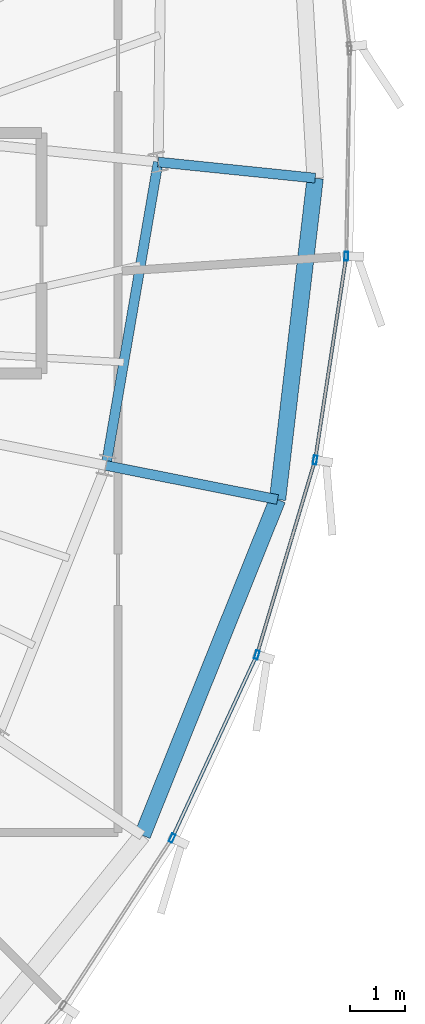
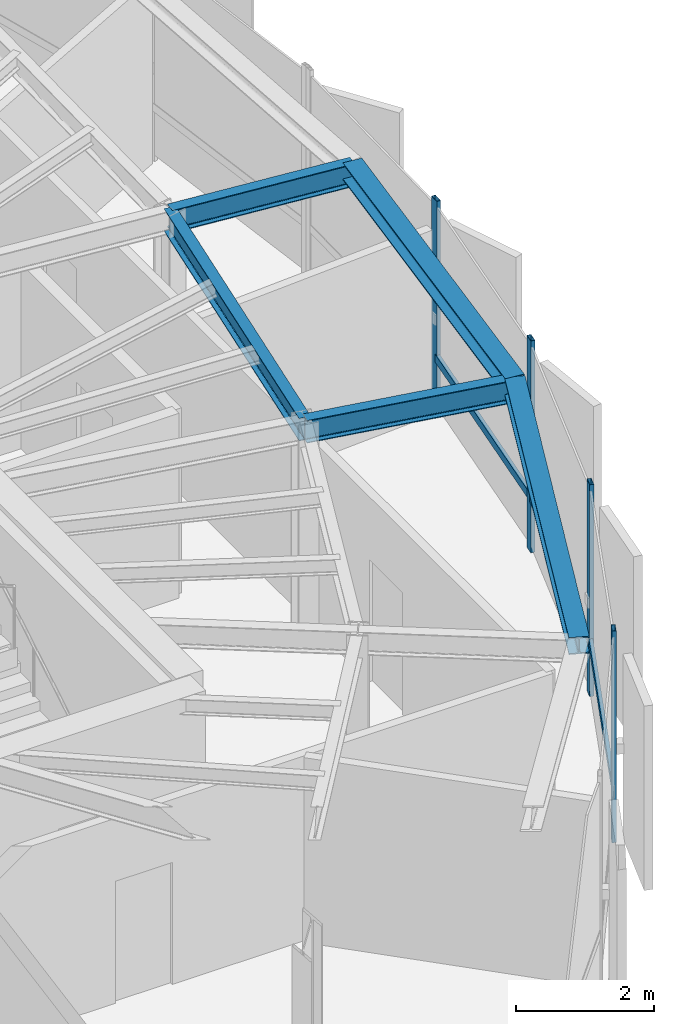
# One storey, part 12 of 27: 7 members, 5 beams, 1 element without a shape of its own.
"""IFC4 building model written with IfcOpenShell, lengths in metres."""

from ifc_helpers import new_model, si_unit, direction, frame, origin, origin_2d, place, context, subcontext, project, spatial, hollow_rectangle, i_section, extrude, source, transform, mapped, material, layer, layer_set, material_profile, profile_set, type_object, element, aggregate, save


model = new_model("IFC4")

# Units and contexts
model_context = context("Model", 3, precision=1e-05, world=origin(), true_north=direction((0.0, 1.0)))
body_context = subcontext(model_context, "Body", "Model", "MODEL_VIEW")
ifc_project = project(units=[si_unit("LENGTHUNIT", "METRE"), si_unit("AREAUNIT", "SQUARE_METRE"), si_unit("VOLUMEUNIT", "CUBIC_METRE"), si_unit("PLANEANGLEUNIT", "RADIAN"), si_unit("MASSUNIT", "GRAM", prefix="KILO"), si_unit("THERMODYNAMICTEMPERATUREUNIT", "KELVIN")], contexts=[model_context])

# Site, building, storey
site_placement = place(None, origin())
site = spatial("IfcSite", under=ifc_project, at=site_placement, CompositionType="ELEMENT")
building_placement = place(site_placement, origin())
building = spatial("IfcBuilding", under=site, at=building_placement, Name="Kethvar Cultural Tower", CompositionType="ELEMENT")
storey_placement = place(building_placement, frame((0.0, 0.0, 312.300048828125)))
storey = spatial("IfcBuildingStorey", under=building, at=storey_placement, Name="L83", CompositionType="ELEMENT", Elevation=312.300048828125)

# Beams
ifc_material_1 = material(Name="Steel S355J2", Category="steel")
ifc_material_profile_1 = material_profile(ifc_material_1, i_section(OverallWidth=0.179931640625, OverallDepth=0.39990234375, WebThickness=0.008544921875, FlangeThickness=0.013427734375, FilletRadius=0.02099609375, at=origin_2d()), Name="Steel S355J2 — IPE400")
ifc_profile_set_1 = profile_set([ifc_material_profile_1], Name="Steel S355J2 — IPE400")
beam_type_1 = type_object("IfcBeamType", Name="BM-IPE400", PredefinedType="BEAM", material=ifc_profile_set_1)
shared_shape_1 = source(origin(), body_context, "Body", "SweptSolid", [
    extrude(i_section(OverallWidth=0.179931640625, OverallDepth=0.39990234375, WebThickness=0.008544921875, FlangeThickness=0.013427734375, FilletRadius=0.02099609375, at=origin_2d()), origin(), (0.0, 0.0, 1.0), 3.199951171875),
])
beam_1_placement = place(storey_placement, frame((60.28369140625, 25.117919921875, 3.532958984375), z_axis=(0.980785550224, -0.195088965533, 0.0), x_axis=(0.195088965533, 0.980785550224, 0.0)))
element("IfcBeam", 1, at=beam_1_placement, inside=storey, type_object=beam_type_1, Name="L83 Perimeter Cantilever Beam RC-16", PredefinedType="BEAM", context=body_context, shape_type="MappedRepresentation", body=[
    mapped(shared_shape_1, transform((0.0, 0.0, 0.0), scale=1.0)),
])
ifc_material_profile_2 = material_profile(ifc_material_1, i_section(OverallWidth=0.300048828125, OverallDepth=0.300048828125, WebThickness=0.010986328125, FlangeThickness=0.01904296875, FilletRadius=0.027099609375, at=origin_2d()), Name="Steel S355J2 — HEB300")
ifc_profile_set_2 = profile_set([ifc_material_profile_2], Name="Steel S355J2 — HEB300")
beam_type_2 = type_object("IfcBeamType", Name="BM-SP300", PredefinedType="SPANDREL", material=ifc_profile_set_2)
shared_shape_2 = source(origin(), body_context, "Body", "SweptSolid", [
    extrude(i_section(OverallWidth=0.300048828125, OverallDepth=0.300048828125, WebThickness=0.010986328125, FlangeThickness=0.01904296875, FilletRadius=0.027099609375, at=origin_2d()), origin(), (0.0, 0.0, 1.0), 6.626220703125),
])
beam_2_placement = place(storey_placement, frame((60.94775390625, 18.3466796875, 3.5830078125), z_axis=(0.373416224197, 0.927663906545, 0.0), x_axis=(-0.927663906545, 0.373416224197, 0.0)))
element("IfcBeam", 2, at=beam_2_placement, inside=storey, type_object=beam_type_2, Name="L83 Perimeter Spandrel Beam SP-15", PredefinedType="SPANDREL", context=body_context, shape_type="MappedRepresentation", body=[
    mapped(shared_shape_2, transform((0.0, 0.0, 0.0), scale=1.0)),
])
shared_shape_3 = source(origin(), body_context, "Body", "SweptSolid", [
    extrude(i_section(OverallWidth=0.179931640625, OverallDepth=0.39990234375, WebThickness=0.008544921875, FlangeThickness=0.013427734375, FilletRadius=0.02099609375, at=origin_2d()), origin(), (0.0, 0.0, 1.0), 5.635009765625),
])
beam_3_placement = place(storey_placement, frame((60.28369140625, 25.117919921875, 3.532958984375), z_axis=(0.169188687614, 0.985583678834, 0.0), x_axis=(-0.985583678834, 0.169188687614, 0.0)))
element("IfcBeam", 3, at=beam_3_placement, inside=storey, type_object=beam_type_1, Name="L83 Column Ring Tie Beam CR-16", PredefinedType="BEAM", context=body_context, shape_type="MappedRepresentation", body=[
    mapped(shared_shape_3, transform((0.0, 0.0, 0.0), scale=1.0)),
])
shared_shape_4 = source(origin(), body_context, "Body", "SweptSolid", [
    extrude(i_section(OverallWidth=0.179931640625, OverallDepth=0.39990234375, WebThickness=0.008544921875, FlangeThickness=0.013427734375, FilletRadius=0.02099609375, at=origin_2d()), origin(), (0.0, 0.0, 1.0), 2.888916015625),
])
beam_4_placement = place(storey_placement, frame((61.237060546875, 30.671630859375, 3.532958984375), z_axis=(0.994783857656, -0.102005277053, 0.0), x_axis=(0.102005277053, 0.994783857656, 0.0)))
element("IfcBeam", 4, at=beam_4_placement, inside=storey, type_object=beam_type_1, Name="L83 Perimeter Cantilever Beam RC-01", PredefinedType="BEAM", context=body_context, shape_type="MappedRepresentation", body=[
    mapped(shared_shape_4, transform((0.0, 0.0, 0.0), scale=1.0)),
])
shared_shape_5 = source(origin(), body_context, "Body", "SweptSolid", [
    extrude(i_section(OverallWidth=0.300048828125, OverallDepth=0.300048828125, WebThickness=0.010986328125, FlangeThickness=0.01904296875, FilletRadius=0.027099609375, at=origin_2d()), origin(), (0.0, 0.0, 1.0), 5.923583984375),
])
beam_5_placement = place(storey_placement, frame((63.422119140625, 24.49365234375, 3.5830078125), z_axis=(0.116269693467, 0.993217679253, 0.0), x_axis=(-0.993217679253, 0.116269693467, 0.0)))
element("IfcBeam", 5, at=beam_5_placement, inside=storey, type_object=beam_type_2, Name="L83 Perimeter Spandrel Beam SP-16", PredefinedType="SPANDREL", context=body_context, shape_type="MappedRepresentation", body=[
    mapped(shared_shape_5, transform((0.0, 0.0, 0.0), scale=1.0)),
])

# Curtain wall, members
ifc_material_2 = material(Name="Aluminium 6063-T6", Category="aluminium")
ifc_layer = layer(ifc_material_2, 0.179931640625, Name="Aluminium 6063-T6", Category="aluminium")
ifc_layer_set = layer_set([ifc_layer], Name="Aluminium 6063-T6 (180 mm)")
curtain_wall_type = type_object("IfcCurtainWallType", Name="CW-SYS-06-CROWN", PredefinedType="NOTDEFINED", material=ifc_layer_set)
curtain_wall_placement = place(storey_placement, origin())
curtain_wall = element("IfcCurtainWall", 6, at=curtain_wall_placement, inside=storey, type_object=curtain_wall_type, Name="L83 Curtain Wall Run 05", PredefinedType="NOTDEFINED")
ifc_material_profile_3 = material_profile(ifc_material_2, hollow_rectangle(XDim=0.06494140625, YDim=0.159912109375, WallThickness=0.0048828125, at=origin_2d()), Name="Aluminium 6063-T6 — RHS160x65x5")
ifc_profile_set_3 = profile_set([ifc_material_profile_3], Name="Aluminium 6063-T6 — RHS160x65x5")
member_type_1 = type_object("IfcMemberType", Name="CW-SYS-06-CROWN-MUL", PredefinedType="MULLION", material=ifc_profile_set_3)
shared_shape_6 = source(origin(), body_context, "Body", "SweptSolid", [
    extrude(hollow_rectangle(XDim=0.06494140625, YDim=0.159912109375, WallThickness=0.0048828125, at=origin_2d()), origin(), (0.0, 0.0, 1.0), 3.73486328125),
])
member_1_placement = place(storey_placement, frame((61.49267578125, 18.297119140625, 0.0), z_axis=(0.0, 0.0, 1.0), x_axis=(-0.90776283634, 0.419483769602, 0.0)))
member_1 = element("IfcMember", 7, at=member_1_placement, type_object=member_type_1, Name="CW-L83-R05 Mullion 3", PredefinedType="MULLION", context=body_context, shape_type="MappedRepresentation", body=[
    mapped(shared_shape_6, transform((0.0, 0.0, 0.0), scale=1.0)),
])
member_2_placement = place(storey_placement, frame((63.04443359375, 21.652587890625, 0.0), z_axis=(0.0, 0.0, 1.0), x_axis=(-0.958192834531, 0.286123210965, 0.0)))
member_2 = element("IfcMember", 8, at=member_2_placement, type_object=member_type_1, Name="CW-L83-R05 Mullion 4", PredefinedType="MULLION", context=body_context, shape_type="MappedRepresentation", body=[
    mapped(shared_shape_6, transform((0.0, 0.0, 0.0), scale=1.0)),
])
member_3_placement = place(storey_placement, frame((64.110595703125, 25.218994140625, 0.0), z_axis=(0.0, 0.0, 1.0), x_axis=(-0.988562425013, 0.150812240392, 0.0)))
member_3 = element("IfcMember", 9, at=member_3_placement, type_object=member_type_1, Name="CW-L83-R05 Mullion 5", PredefinedType="MULLION", context=body_context, shape_type="MappedRepresentation", body=[
    mapped(shared_shape_6, transform((0.0, 0.0, 0.0), scale=1.0)),
])
member_4_placement = place(storey_placement, frame((64.680419921875, 28.9462890625, 0.0), z_axis=(0.0, 0.0, 1.0), x_axis=(-0.999864562689, 0.01645771181, 0.0)))
member_4 = element("IfcMember", 10, at=member_4_placement, type_object=member_type_1, Name="CW-L83-R05 Mullion 6", PredefinedType="MULLION", context=body_context, shape_type="MappedRepresentation", body=[
    mapped(shared_shape_6, transform((0.0, 0.0, 0.0), scale=1.0)),
])
ifc_material_profile_4 = material_profile(ifc_material_2, hollow_rectangle(XDim=0.06005859375, YDim=0.139892578125, WallThickness=0.0048828125, at=origin_2d()), Name="Aluminium 6063-T6 — RHS140x60x5")
ifc_profile_set_4 = profile_set([ifc_material_profile_4], Name="Aluminium 6063-T6 — RHS140x60x5")
member_type_2 = type_object("IfcMemberType", Name="CW-SYS-06-CROWN-TRN", PredefinedType="USERDEFINED", material=ifc_profile_set_4)
shared_shape_7 = source(origin(), body_context, "Body", "SweptSolid", [
    extrude(hollow_rectangle(XDim=0.06005859375, YDim=0.139892578125, WallThickness=0.0048828125, at=origin_2d()), origin(), (0.0, 0.0, 1.0), 3.62060546875),
])
member_5_placement = place(storey_placement, frame((61.51220703125, 18.339599609375, 0.949951171875), z_axis=(0.419490019205, 0.907759948327, 0.0), x_axis=(-0.907759948327, 0.419490019205, 0.0)))
member_5 = element("IfcMember", 11, at=member_5_placement, type_object=member_type_2, Name="CW-L83-R05 Transom 3", ObjectType="TRANSOM", PredefinedType="USERDEFINED", context=body_context, shape_type="MappedRepresentation", body=[
    mapped(shared_shape_7, transform((0.0, 0.0, 0.0), scale=1.0)),
])
shared_shape_8 = source(origin(), body_context, "Body", "SweptSolid", [
    extrude(hollow_rectangle(XDim=0.06005859375, YDim=0.139892578125, WallThickness=0.0048828125, at=origin_2d()), origin(), (0.0, 0.0, 1.0), 3.645263671875),
])
member_6_placement = place(storey_placement, frame((63.057861328125, 21.697509765625, 0.949951171875), z_axis=(0.286112622879, 0.958195996145, 0.0), x_axis=(-0.958195996145, 0.286112622879, 0.0)))
member_6 = element("IfcMember", 12, at=member_6_placement, type_object=member_type_2, Name="CW-L83-R05 Transom 4", ObjectType="TRANSOM", PredefinedType="USERDEFINED", context=body_context, shape_type="MappedRepresentation", body=[
    mapped(shared_shape_8, transform((0.0, 0.0, 0.0), scale=1.0)),
])
shared_shape_9 = source(origin(), body_context, "Body", "SweptSolid", [
    extrude(hollow_rectangle(XDim=0.06005859375, YDim=0.139892578125, WallThickness=0.0048828125, at=origin_2d()), origin(), (0.0, 0.0, 1.0), 3.693115234375),
])
member_7_placement = place(storey_placement, frame((64.11767578125, 25.265380859375, 0.949951171875), z_axis=(0.150854927827, 0.988555911798, 0.0), x_axis=(-0.988555911798, 0.150854927827, 0.0)))
member_7 = element("IfcMember", 13, at=member_7_placement, type_object=member_type_2, Name="CW-L83-R05 Transom 5", ObjectType="TRANSOM", PredefinedType="USERDEFINED", context=body_context, shape_type="MappedRepresentation", body=[
    mapped(shared_shape_9, transform((0.0, 0.0, 0.0), scale=1.0)),
])
aggregate(curtain_wall, [member_1, member_2, member_3, member_4, member_5, member_6, member_7])

save(model, "model.ifc")
